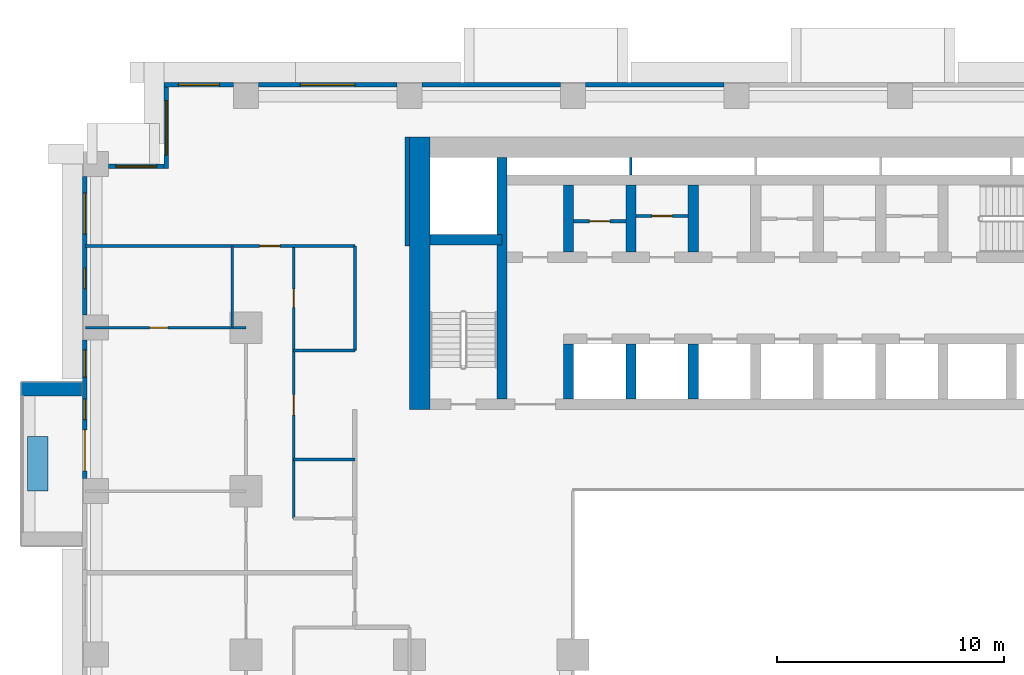
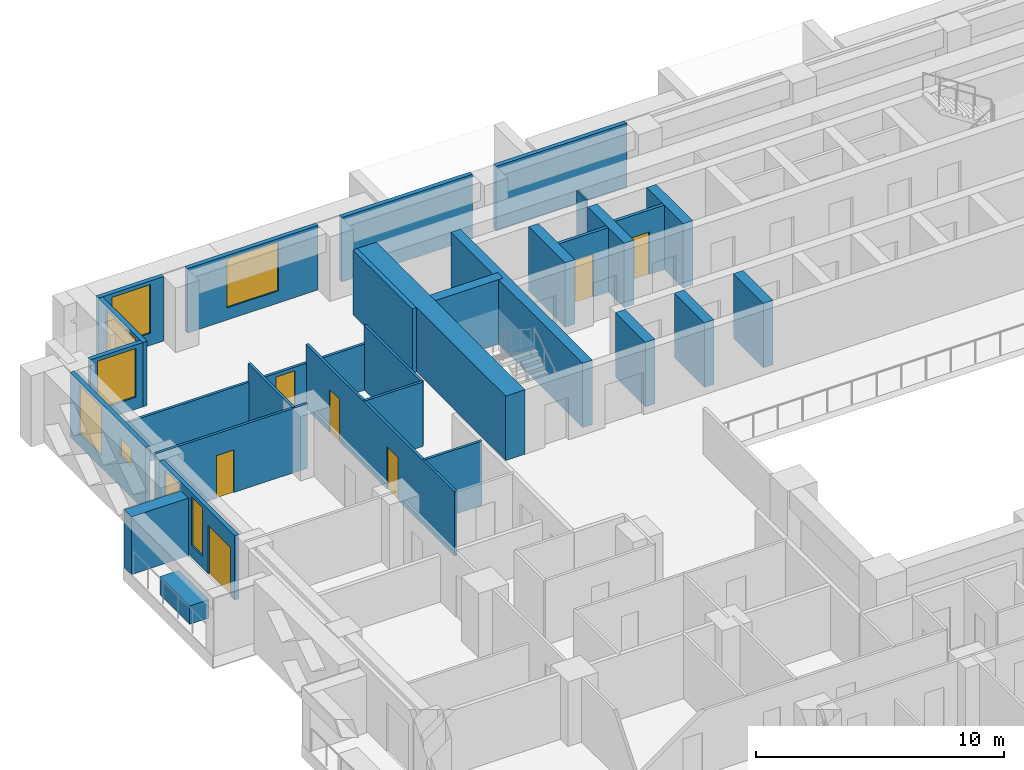
# One storey, part 9 of 17: 30 walls, 8 windows, 7 doors, 15 openings.
"""IFC4 building model written with IfcOpenShell, lengths in metres."""

from ifc_helpers import new_model, si_unit, direction, frame, frame_2d, origin, place, context, subcontext, project, spatial, rectangle, extrude, material, layer, layer_set, type_object, element, fill, save


model = new_model("IFC4")

# Units and contexts
model_context = context("Model", 3, precision=1e-05, world=origin(), true_north=direction((0.0, 1.0)))
body_context = subcontext(model_context, "Body", "Model", "MODEL_VIEW")
ifc_project = project(units=[si_unit("LENGTHUNIT", "METRE"), si_unit("AREAUNIT", "SQUARE_METRE"), si_unit("VOLUMEUNIT", "CUBIC_METRE"), si_unit("PLANEANGLEUNIT", "RADIAN"), si_unit("MASSUNIT", "GRAM", prefix="KILO")], contexts=[model_context])

# Site, building, storey
site_placement = place(None, origin())
site = spatial("IfcSite", under=ifc_project, at=site_placement, CompositionType="ELEMENT")
building_placement = place(site_placement, origin())
building = spatial("IfcBuilding", under=site, at=building_placement, Name="Saffron Iwan Residences", CompositionType="ELEMENT")
storey_placement = place(building_placement, frame((0.0, 0.0, 41.0)))
storey = spatial("IfcBuildingStorey", under=building, at=storey_placement, Name="L09", CompositionType="ELEMENT", Elevation=41.0)

# Walls
ifc_material_1 = material(Name="Concrete C50/60 white painted", Category="concrete")
ifc_layer_1 = layer(ifc_material_1, 0.60009765625)
ifc_layer_set_1 = layer_set([ifc_layer_1], Name="Concrete C50/60 white painted")
wall_type_1 = type_object("IfcWallType", Name="BALCONY FIN 600", PredefinedType="SOLIDWALL", material=ifc_layer_set_1)
wall_1_placement = place(storey_placement, frame((14.35009765625, 66.89990234375, 0.0), z_axis=(0.0, 0.0, 1.0), x_axis=(-1.0, 0.0, 0.0)))
element("IfcWall", 1, at=wall_1_placement, inside=storey, type_object=wall_type_1, Name="Balcony fin L09 F8-0a", PredefinedType="SOLIDWALL", context=body_context, shape_type="SweptSolid", body=[
    extrude(rectangle(XDim=2.650146484375, YDim=0.60009765625, at=frame_2d((1.3251953125, 0.0))), origin(), (0.0, 0.0, 1.0), 2.85009765625),
])
ifc_material_2 = material(Name="Concrete C35/45 white painted", Category="concrete")
ifc_layer_2 = layer(ifc_material_2, 0.14990234375)
ifc_layer_set_2 = layer_set([ifc_layer_2], Name="Concrete C35/45 white painted")
wall_type_2 = type_object("IfcWallType", Name="BALCONY PLANTER", PredefinedType="SOLIDWALL", material=ifc_layer_set_2)
wall_2_placement = place(storey_placement, frame((12.425048828125, 64.800048828125, 0.0), z_axis=(0.0, 0.0, 1.0), x_axis=(0.0, -1.0, 0.0)))
element("IfcWall", 2, at=wall_2_placement, inside=storey, type_object=wall_type_2, Name="PLANTER L09 F8-0", PredefinedType="SOLIDWALL", context=body_context, shape_type="SweptSolid", body=[
    extrude(rectangle(XDim=2.400146484375, YDim=0.89990234375, at=frame_2d((1.2001953125, 0.0))), origin(), (0.0, 0.0, 1.0), 0.89990234375),
])

# Wall, opening, door
ifc_material_3 = material(Name="Fire-rated plasterboard partition")
ifc_layer_3 = layer(ifc_material_3, 0.14990234375)
ifc_layer_set_3 = layer_set([ifc_layer_3], Name="Fire-rated plasterboard partition")
wall_type_3 = type_object("IfcWallType", Name="Core partition 150", PredefinedType="PARTITIONING", material=ifc_layer_set_3)
wall_3_placement = place(storey_placement, frame((36.02490234375, 74.281982421875, 0.0), z_axis=(0.0, 0.0, 1.0), x_axis=(1.0, 0.0, 0.0)))
wall_3 = element("IfcWall", 3, at=wall_3_placement, inside=storey, type_object=wall_type_3, Name="Core partition P01", PredefinedType="PARTITIONING", context=body_context, shape_type="SweptSolid", body=[
    extrude(rectangle(XDim=2.300048828125, YDim=0.14990234375, at=frame_2d((1.14990234375, 0.0))), origin(), (0.0, 0.0, 1.0), 3.179931640625),
])
opening_1_placement = place(wall_3_placement, frame((0.699951171875, 0.0, 0.0)))
opening_1 = element("IfcOpeningElement", 4, at=opening_1_placement, cuts=wall_3, Name="Opening SB", PredefinedType="OPENING", context=body_context, shape_type="SweptSolid", body=[
    extrude(rectangle(XDim=0.89990234375, YDim=2.10009765625, at=frame_2d((0.449951171875, 1.050048828125))), frame((0.0, 0.0849609375, 0.0), z_axis=(0.0, -1.0, 0.0), x_axis=(1.0, 0.0, 0.0)), (0.0, 0.0, 1.0), 0.169921875),
])
ifc_material_4 = material(Name="Steel fire door", Category="steel")
door_type_1 = type_object("IfcDoorType", Name="Store door 900", OperationType="NOTDEFINED", PredefinedType="DOOR", material=ifc_material_4)
door_1_placement = place(opening_1_placement, origin())
door_1 = element("IfcDoor", 5, at=door_1_placement, inside=storey, type_object=door_type_1, Name="Door Stationery store", OperationType="SINGLE_SWING_LEFT", OverallHeight=2.10009765625, OverallWidth=0.89990234375, PredefinedType="DOOR", context=body_context, shape_type="SweptSolid", body=[
    extrude(rectangle(XDim=0.89990234375, YDim=2.10009765625, at=frame_2d((0.449951171875, 1.050048828125))), frame((0.0, 0.02490234375, 0.0), z_axis=(0.0, -1.0, 0.0), x_axis=(1.0, 0.0, 0.0)), (0.0, 0.0, 1.0), 0.050048828125),
])
fill(opening_1, door_1)

wall_4_placement = place(storey_placement, frame((38.77490234375, 74.51806640625, 0.0), z_axis=(0.0, 0.0, 1.0), x_axis=(1.0, 0.0, 0.0)))
wall_4 = element("IfcWall", 6, at=wall_4_placement, inside=storey, type_object=wall_type_3, Name="Core partition P02", PredefinedType="PARTITIONING", context=body_context, shape_type="SweptSolid", body=[
    extrude(rectangle(XDim=2.300048828125, YDim=0.14990234375, at=frame_2d((1.14990234375, 0.0))), origin(), (0.0, 0.0, 1.0), 3.179931640625),
])
opening_2_placement = place(wall_4_placement, frame((0.699951171875, 0.0, 0.0)))
opening_2 = element("IfcOpeningElement", 7, at=opening_2_placement, cuts=wall_4, Name="Opening SB", PredefinedType="OPENING", context=body_context, shape_type="SweptSolid", body=[
    extrude(rectangle(XDim=0.89990234375, YDim=2.10009765625, at=frame_2d((0.449951171875, 1.050048828125))), frame((0.0, 0.0849609375, 0.0), z_axis=(0.0, -1.0, 0.0), x_axis=(1.0, 0.0, 0.0)), (0.0, 0.0, 1.0), 0.169921875),
])
door_2_placement = place(opening_2_placement, origin())
door_2 = element("IfcDoor", 8, at=door_2_placement, inside=storey, type_object=door_type_1, Name="Door Tool store", OperationType="SINGLE_SWING_LEFT", OverallHeight=2.10009765625, OverallWidth=0.89990234375, PredefinedType="DOOR", context=body_context, shape_type="SweptSolid", body=[
    extrude(rectangle(XDim=0.89990234375, YDim=2.10009765625, at=frame_2d((0.449951171875, 1.050048828125))), frame((0.0, 0.02490234375, 0.0), z_axis=(0.0, -1.0, 0.0), x_axis=(1.0, 0.0, 0.0)), (0.0, 0.0, 1.0), 0.050048828125),
])
fill(opening_2, door_2)

# Walls
ifc_material_5 = material(Name="Concrete C40/50", Category="concrete")
ifc_layer_4 = layer(ifc_material_5, 0.199951171875)
ifc_layer_set_4 = layer_set([ifc_layer_4], Name="Concrete C40/50")
wall_type_4 = type_object("IfcWallType", Name="EXTERNAL WALL 200", PredefinedType="SOLIDWALL", material=ifc_layer_set_4)
for number, where, z_axis, x_axis, name in (
    (9, (42.64990234375, 80.300048828125, 0.0), (0.0, 0.0, 1.0), (-1.0, 0.0, 0.0), "External wall L09 F5.6"),
    (10, (35.449951171875, 80.300048828125, 0.0), (0.0, 0.0, 1.0), (-1.0, 0.0, 0.0), "External wall L09 F5.7"),
):
    element("IfcWall", number, at=place(storey_placement, frame(where, z_axis=z_axis, x_axis=x_axis)), inside=storey, type_object=wall_type_4, Name=name, PredefinedType="SOLIDWALL", context=body_context, shape_type="SweptSolid", body=[
        extrude(rectangle(XDim=6.099853515625, YDim=0.199951171875, at=frame_2d((3.0498046875, 0.0))), origin(), (0.0, 0.0, 1.0), 3.179931640625),
    ])

# Wall, opening, window
wall_5_placement = place(storey_placement, frame((28.25, 80.300048828125, 0.0), z_axis=(0.0, 0.0, 1.0), x_axis=(-1.0, 0.0, 0.0)))
wall_5 = element("IfcWall", 11, at=wall_5_placement, inside=storey, type_object=wall_type_4, Name="External wall L09 F5.8", PredefinedType="SOLIDWALL", context=body_context, shape_type="SweptSolid", body=[
    extrude(rectangle(XDim=6.10009765625, YDim=0.199951171875, at=frame_2d((3.050048828125, 0.0))), origin(), (0.0, 0.0, 1.0), 3.179931640625),
])
opening_3_placement = place(wall_5_placement, frame((1.85009765625, 0.0, 0.60009765625)))
opening_3 = element("IfcOpeningElement", 12, at=opening_3_placement, cuts=wall_5, Name="Opening W1", PredefinedType="OPENING", context=body_context, shape_type="SweptSolid", body=[
    extrude(rectangle(XDim=2.39990234375, YDim=2.39990234375, at=frame_2d((1.199951171875, 1.199951171875))), frame((0.0, 0.10986328125, 0.0), z_axis=(0.0, -1.0, 0.0), x_axis=(1.0, 0.0, 0.0)), (0.0, 0.0, 1.0), 0.219970703125),
])
ifc_material_6 = material(Name="Clear glass, laminated double glazed", Category="glass")
window_type_1 = type_object("IfcWindowType", Name="WINDOW 2400 x 2400", PartitioningType="DOUBLE_PANEL_VERTICAL", PredefinedType="WINDOW", material=ifc_material_6)
window_1_placement = place(opening_3_placement, origin())
window_1 = element("IfcWindow", 13, at=window_1_placement, inside=storey, type_object=window_type_1, Name="Window L09 F5.0", OverallHeight=2.39990234375, OverallWidth=2.39990234375, PartitioningType="DOUBLE_PANEL_VERTICAL", PredefinedType="WINDOW", context=body_context, shape_type="SweptSolid", body=[
    extrude(rectangle(XDim=2.39990234375, YDim=2.39990234375, at=frame_2d((1.199951171875, 1.199951171875))), frame((0.0, 0.030029296875, 0.0), z_axis=(0.0, -1.0, 0.0), x_axis=(1.0, 0.0, 0.0)), (0.0, 0.0, 1.0), 0.06005859375),
])
fill(opening_3, window_1)

wall_6_placement = place(storey_placement, frame((21.050048828125, 80.300048828125, 0.0), z_axis=(0.0, 0.0, 1.0), x_axis=(-1.0, 0.0, 0.0)))
wall_6 = element("IfcWall", 14, at=wall_6_placement, inside=storey, type_object=wall_type_4, Name="External wall L09 F5.9", PredefinedType="SOLIDWALL", context=body_context, shape_type="SweptSolid", body=[
    extrude(rectangle(XDim=3.050048828125, YDim=0.199951171875, at=frame_2d((1.52490234375, 0.0))), origin(), (0.0, 0.0, 1.0), 3.179931640625),
])
opening_4_placement = place(wall_6_placement, frame((0.625, 0.0, 0.60009765625)))
opening_4 = element("IfcOpeningElement", 15, at=opening_4_placement, cuts=wall_6, Name="Opening W8", PredefinedType="OPENING", context=body_context, shape_type="SweptSolid", body=[
    extrude(rectangle(XDim=1.800048828125, YDim=2.39990234375, at=frame_2d((0.89990234375, 1.199951171875))), frame((0.0, 0.10986328125, 0.0), z_axis=(0.0, -1.0, 0.0), x_axis=(1.0, 0.0, 0.0)), (0.0, 0.0, 1.0), 0.219970703125),
])
window_type_2 = type_object("IfcWindowType", Name="WINDOW 1800 x 2400", PartitioningType="DOUBLE_PANEL_VERTICAL", PredefinedType="WINDOW", material=ifc_material_6)
window_2_placement = place(opening_4_placement, origin())
window_2 = element("IfcWindow", 16, at=window_2_placement, inside=storey, type_object=window_type_2, Name="Window L09 F5.0", OverallHeight=2.39990234375, OverallWidth=1.800048828125, PartitioningType="DOUBLE_PANEL_VERTICAL", PredefinedType="WINDOW", context=body_context, shape_type="SweptSolid", body=[
    extrude(rectangle(XDim=1.800048828125, YDim=2.39990234375, at=frame_2d((0.89990234375, 1.199951171875))), frame((0.0, 0.030029296875, 0.0), z_axis=(0.0, -1.0, 0.0), x_axis=(1.0, 0.0, 0.0)), (0.0, 0.0, 1.0), 0.06005859375),
])
fill(opening_4, window_2)

wall_7_placement = place(storey_placement, frame((18.10009765625, 80.199951171875, 0.0), z_axis=(0.0, 0.0, 1.0), x_axis=(0.0, -1.0, 0.0)))
wall_7 = element("IfcWall", 17, at=wall_7_placement, inside=storey, type_object=wall_type_4, Name="External wall L09 F6.0", PredefinedType="SOLIDWALL", context=body_context, shape_type="SweptSolid", body=[
    extrude(rectangle(XDim=3.599853515625, YDim=0.199951171875, at=frame_2d((1.7998046875, 0.0))), origin(), (0.0, 0.0, 1.0), 3.179931640625),
])
opening_5_placement = place(wall_7_placement, frame((0.60009765625, 0.0, 0.60009765625)))
opening_5 = element("IfcOpeningElement", 18, at=opening_5_placement, cuts=wall_7, Name="Opening W1", PredefinedType="OPENING", context=body_context, shape_type="SweptSolid", body=[
    extrude(rectangle(XDim=2.39990234375, YDim=2.39990234375, at=frame_2d((1.199951171875, 1.199951171875))), frame((0.0, 0.10986328125, 0.0), z_axis=(0.0, -1.0, 0.0), x_axis=(1.0, 0.0, 0.0)), (0.0, 0.0, 1.0), 0.219970703125),
])
window_3_placement = place(opening_5_placement, origin())
window_3 = element("IfcWindow", 19, at=window_3_placement, inside=storey, type_object=window_type_1, Name="Window L09 F6.0", OverallHeight=2.39990234375, OverallWidth=2.39990234375, PartitioningType="DOUBLE_PANEL_VERTICAL", PredefinedType="WINDOW", context=body_context, shape_type="SweptSolid", body=[
    extrude(rectangle(XDim=2.39990234375, YDim=2.39990234375, at=frame_2d((1.199951171875, 1.199951171875))), frame((0.0, 0.030029296875, 0.0), z_axis=(0.0, -1.0, 0.0), x_axis=(1.0, 0.0, 0.0)), (0.0, 0.0, 1.0), 0.06005859375),
])
fill(opening_5, window_3)

wall_8_placement = place(storey_placement, frame((18.0, 76.699951171875, 0.0), z_axis=(0.0, 0.0, 1.0), x_axis=(-1.0, 0.0, 0.0)))
wall_8 = element("IfcWall", 20, at=wall_8_placement, inside=storey, type_object=wall_type_4, Name="External wall L09 F7.0", PredefinedType="SOLIDWALL", context=body_context, shape_type="SweptSolid", body=[
    extrude(rectangle(XDim=2.449951171875, YDim=0.199951171875, at=frame_2d((1.22509765625, 0.0))), origin(), (0.0, 0.0, 1.0), 3.179931640625),
])
opening_6_placement = place(wall_8_placement, frame((0.324951171875, 0.0, 0.60009765625)))
opening_6 = element("IfcOpeningElement", 21, at=opening_6_placement, cuts=wall_8, Name="Opening W8", PredefinedType="OPENING", context=body_context, shape_type="SweptSolid", body=[
    extrude(rectangle(XDim=1.800048828125, YDim=2.39990234375, at=frame_2d((0.89990234375, 1.199951171875))), frame((0.0, 0.10986328125, 0.0), z_axis=(0.0, -1.0, 0.0), x_axis=(1.0, 0.0, 0.0)), (0.0, 0.0, 1.0), 0.219970703125),
])
window_4_placement = place(opening_6_placement, origin())
window_4 = element("IfcWindow", 22, at=window_4_placement, inside=storey, type_object=window_type_2, Name="Window L09 F7.0", OverallHeight=2.39990234375, OverallWidth=1.800048828125, PartitioningType="DOUBLE_PANEL_VERTICAL", PredefinedType="WINDOW", context=body_context, shape_type="SweptSolid", body=[
    extrude(rectangle(XDim=1.800048828125, YDim=2.39990234375, at=frame_2d((0.89990234375, 1.199951171875))), frame((0.0, 0.030029296875, 0.0), z_axis=(0.0, -1.0, 0.0), x_axis=(1.0, 0.0, 0.0)), (0.0, 0.0, 1.0), 0.06005859375),
])
fill(opening_6, window_4)

# Wall, openings, windows
wall_9_placement = place(storey_placement, frame((14.5, 76.25, 0.0), z_axis=(0.0, 0.0, 1.0), x_axis=(0.0, -1.0, 0.0)))
wall_9 = element("IfcWall", 23, at=wall_9_placement, inside=storey, type_object=wall_type_4, Name="External wall L09 F8.0", PredefinedType="SOLIDWALL", context=body_context, shape_type="SweptSolid", body=[
    extrude(rectangle(XDim=6.10009765625, YDim=0.199951171875, at=frame_2d((3.050048828125, 0.0))), origin(), (0.0, 0.0, 1.0), 3.179931640625),
])
opening_7_placement = place(wall_9_placement, frame((4.02490234375, 0.0, 1.5)))
opening_7 = element("IfcOpeningElement", 24, at=opening_7_placement, cuts=wall_9, Name="Opening W6", PredefinedType="OPENING", context=body_context, shape_type="SweptSolid", body=[
    extrude(rectangle(XDim=0.89990234375, YDim=0.89990234375, at=frame_2d((0.449951171875, 0.449951171875))), frame((0.0, 0.10986328125, 0.0), z_axis=(0.0, -1.0, 0.0), x_axis=(1.0, 0.0, 0.0)), (0.0, 0.0, 1.0), 0.219970703125),
])
opening_8_placement = place(wall_9_placement, frame((0.72509765625, 0.0, 0.60009765625)))
opening_8 = element("IfcOpeningElement", 25, at=opening_8_placement, cuts=wall_9, Name="Opening W8", PredefinedType="OPENING", context=body_context, shape_type="SweptSolid", body=[
    extrude(rectangle(XDim=1.800048828125, YDim=2.39990234375, at=frame_2d((0.89990234375, 1.199951171875))), frame((0.0, 0.10986328125, 0.0), z_axis=(0.0, -1.0, 0.0), x_axis=(1.0, 0.0, 0.0)), (0.0, 0.0, 1.0), 0.219970703125),
])
window_5_placement = place(opening_8_placement, origin())
window_5 = element("IfcWindow", 26, at=window_5_placement, inside=storey, type_object=window_type_2, Name="Window L09 F8.1", OverallHeight=2.39990234375, OverallWidth=1.800048828125, PartitioningType="DOUBLE_PANEL_VERTICAL", PredefinedType="WINDOW", context=body_context, shape_type="SweptSolid", body=[
    extrude(rectangle(XDim=1.800048828125, YDim=2.39990234375, at=frame_2d((0.89990234375, 1.199951171875))), frame((0.0, 0.030029296875, 0.0), z_axis=(0.0, -1.0, 0.0), x_axis=(1.0, 0.0, 0.0)), (0.0, 0.0, 1.0), 0.06005859375),
])
fill(opening_8, window_5)
window_type_3 = type_object("IfcWindowType", Name="WINDOW 900 x 900 BATH", PartitioningType="SINGLE_PANEL", PredefinedType="WINDOW", material=ifc_material_6)
window_6_placement = place(opening_7_placement, origin())
window_6 = element("IfcWindow", 27, at=window_6_placement, inside=storey, type_object=window_type_3, Name="Window L09 F8.0", OverallHeight=0.89990234375, OverallWidth=0.89990234375, PartitioningType="SINGLE_PANEL", PredefinedType="WINDOW", context=body_context, shape_type="SweptSolid", body=[
    extrude(rectangle(XDim=0.89990234375, YDim=0.89990234375, at=frame_2d((0.449951171875, 0.449951171875))), frame((0.0, 0.030029296875, 0.0), z_axis=(0.0, -1.0, 0.0), x_axis=(1.0, 0.0, 0.0)), (0.0, 0.0, 1.0), 0.06005859375),
])
fill(opening_7, window_6)

# Wall, openings, door, windows
wall_10_placement = place(storey_placement, frame((14.5, 69.050048828125, 0.0), z_axis=(0.0, 0.0, 1.0), x_axis=(0.0, -1.0, 0.0)))
wall_10 = element("IfcWall", 28, at=wall_10_placement, inside=storey, type_object=wall_type_4, Name="External wall L09 F8.1", PredefinedType="SOLIDWALL", context=body_context, shape_type="SweptSolid", body=[
    extrude(rectangle(XDim=6.10009765625, YDim=0.199951171875, at=frame_2d((3.050048828125, 0.0))), origin(), (0.0, 0.0, 1.0), 3.179931640625),
])
opening_9_placement = place(wall_10_placement, frame((3.949951171875, 0.0, 0.0)))
opening_9 = element("IfcOpeningElement", 29, at=opening_9_placement, cuts=wall_10, Name="Opening BD1", PredefinedType="OPENING", context=body_context, shape_type="SweptSolid", body=[
    extrude(rectangle(XDim=1.800048828125, YDim=2.39990234375, at=frame_2d((0.89990234375, 1.199951171875))), frame((0.0, 0.10986328125, 0.0), z_axis=(0.0, -1.0, 0.0), x_axis=(1.0, 0.0, 0.0)), (0.0, 0.0, 1.0), 0.219970703125),
])
opening_10_placement = place(wall_10_placement, frame((0.425048828125, 0.0, 0.60009765625)))
opening_10 = element("IfcOpeningElement", 30, at=opening_10_placement, cuts=wall_10, Name="Opening W3", PredefinedType="OPENING", context=body_context, shape_type="SweptSolid", body=[
    extrude(rectangle(XDim=1.199951171875, YDim=2.39990234375, at=frame_2d((0.60009765625, 1.199951171875))), frame((0.0, 0.10986328125, 0.0), z_axis=(0.0, -1.0, 0.0), x_axis=(1.0, 0.0, 0.0)), (0.0, 0.0, 1.0), 0.219970703125),
])
opening_11_placement = place(wall_10_placement, frame((2.60009765625, 0.0, 0.60009765625)))
opening_11 = element("IfcOpeningElement", 31, at=opening_11_placement, cuts=wall_10, Name="Opening W10", PredefinedType="OPENING", context=body_context, shape_type="SweptSolid", body=[
    extrude(rectangle(XDim=0.89990234375, YDim=2.39990234375, at=frame_2d((0.449951171875, 1.199951171875))), frame((0.0, 0.10986328125, 0.0), z_axis=(0.0, -1.0, 0.0), x_axis=(1.0, 0.0, 0.0)), (0.0, 0.0, 1.0), 0.219970703125),
])
door_type_2 = type_object("IfcDoorType", Name="BALCONY DOOR 1800 x 2400", OperationType="DOUBLE_DOOR_SLIDING", PredefinedType="DOOR", material=ifc_material_6)
door_3_placement = place(opening_9_placement, origin())
door_3 = element("IfcDoor", 32, at=door_3_placement, inside=storey, type_object=door_type_2, Name="Balcony door L09 F8.0", OperationType="DOUBLE_DOOR_SLIDING", OverallHeight=2.39990234375, OverallWidth=1.800048828125, PredefinedType="DOOR", context=body_context, shape_type="SweptSolid", body=[
    extrude(rectangle(XDim=1.800048828125, YDim=2.39990234375, at=frame_2d((0.89990234375, 1.199951171875))), frame((0.0, 0.02490234375, 0.0), z_axis=(0.0, -1.0, 0.0), x_axis=(1.0, 0.0, 0.0)), (0.0, 0.0, 1.0), 0.050048828125),
])
fill(opening_9, door_3)
window_type_4 = type_object("IfcWindowType", Name="WINDOW 1200 x 2400", PartitioningType="SINGLE_PANEL", PredefinedType="WINDOW", material=ifc_material_6)
window_7_placement = place(opening_10_placement, origin())
window_7 = element("IfcWindow", 33, at=window_7_placement, inside=storey, type_object=window_type_4, Name="Window L09 F8.1", OverallHeight=2.39990234375, OverallWidth=1.199951171875, PartitioningType="SINGLE_PANEL", PredefinedType="WINDOW", context=body_context, shape_type="SweptSolid", body=[
    extrude(rectangle(XDim=1.199951171875, YDim=2.39990234375, at=frame_2d((0.60009765625, 1.199951171875))), frame((0.0, 0.030029296875, 0.0), z_axis=(0.0, -1.0, 0.0), x_axis=(1.0, 0.0, 0.0)), (0.0, 0.0, 1.0), 0.06005859375),
])
fill(opening_10, window_7)
window_type_5 = type_object("IfcWindowType", Name="WINDOW 900 x 2400", PartitioningType="SINGLE_PANEL", PredefinedType="WINDOW", material=ifc_material_6)
window_8_placement = place(opening_11_placement, origin())
window_8 = element("IfcWindow", 34, at=window_8_placement, inside=storey, type_object=window_type_5, Name="Window L09 F8.2", OverallHeight=2.39990234375, OverallWidth=0.89990234375, PartitioningType="SINGLE_PANEL", PredefinedType="WINDOW", context=body_context, shape_type="SweptSolid", body=[
    extrude(rectangle(XDim=0.89990234375, YDim=2.39990234375, at=frame_2d((0.449951171875, 1.199951171875))), frame((0.0, 0.030029296875, 0.0), z_axis=(0.0, -1.0, 0.0), x_axis=(1.0, 0.0, 0.0)), (0.0, 0.0, 1.0), 0.06005859375),
])
fill(opening_11, window_8)

# Walls
ifc_material_7 = material(Name="Gypsum board partition")
ifc_layer_5 = layer(ifc_material_7, 0.1201171875)
ifc_layer_set_5 = layer_set([ifc_layer_5], Name="Gypsum board partition")
wall_type_5 = type_object("IfcWallType", Name="Flat partition 120", PredefinedType="PARTITIONING", material=ifc_layer_set_5)
for number, where, z_axis, x_axis, name in (
    (35, (23.699951171875, 63.800048828125, 0.0), (0.0, 0.0, 1.0), (1.0, 0.0, 0.0), "W-L09-PART-h63.8-23.7"),
    (36, (23.699951171875, 68.60009765625, 0.0), (0.0, 0.0, 1.0), (1.0, 0.0, 0.0), "W-L09-PART-h68.6-23.7"),
):
    element("IfcWall", number, at=place(storey_placement, frame(where, z_axis=z_axis, x_axis=x_axis)), inside=storey, type_object=wall_type_5, Name=name, PredefinedType="PARTITIONING", context=body_context, shape_type="SweptSolid", body=[
        extrude(rectangle(XDim=2.699951171875, YDim=0.1201171875, at=frame_2d((1.35009765625, 0.0))), origin(), (0.0, 0.0, 1.0), 3.179931640625),
    ])

# Wall, opening, door
wall_11_placement = place(storey_placement, frame((14.52490234375, 69.60009765625, 0.0), z_axis=(0.0, 0.0, 1.0), x_axis=(1.0, 0.0, 0.0)))
wall_11 = element("IfcWall", 37, at=wall_11_placement, inside=storey, type_object=wall_type_5, Name="W-L09-PART-h69.6-14.525", PredefinedType="PARTITIONING", context=body_context, shape_type="SweptSolid", body=[
    extrude(rectangle(XDim=7.0751953125, YDim=0.1201171875, at=frame_2d((3.53759765625, 0.0))), origin(), (0.0, 0.0, 1.0), 3.179931640625),
])
opening_12_placement = place(wall_11_placement, frame((2.83740234375, 0.0, 0.0)))
opening_12 = element("IfcOpeningElement", 38, at=opening_12_placement, cuts=wall_11, Name="Opening FD3", PredefinedType="OPENING", context=body_context, shape_type="SweptSolid", body=[
    extrude(rectangle(XDim=0.800048828125, YDim=2.10009765625, at=frame_2d((0.39990234375, 1.050048828125))), frame((0.0, 0.070068359375, 0.0), z_axis=(0.0, -1.0, 0.0), x_axis=(1.0, 0.0, 0.0)), (0.0, 0.0, 1.0), 0.14013671875),
])
ifc_material_8 = material(Name="Timber door", Category="wood")
door_type_3 = type_object("IfcDoorType", Name="Bathroom door 800", OperationType="NOTDEFINED", PredefinedType="DOOR", material=ifc_material_8)
door_4_placement = place(opening_12_placement, origin())
door_4 = element("IfcDoor", 39, at=door_4_placement, inside=storey, type_object=door_type_3, Name="Door L09-030", OperationType="SINGLE_SWING_LEFT", OverallHeight=2.10009765625, OverallWidth=0.800048828125, PredefinedType="DOOR", context=body_context, shape_type="SweptSolid", body=[
    extrude(rectangle(XDim=0.800048828125, YDim=2.10009765625, at=frame_2d((0.39990234375, 1.050048828125))), frame((0.0, 0.02490234375, 0.0), z_axis=(0.0, -1.0, 0.0), x_axis=(1.0, 0.0, 0.0)), (0.0, 0.0, 1.0), 0.050048828125),
])
fill(opening_12, door_4)

wall_12_placement = place(storey_placement, frame((14.52490234375, 73.199951171875, 0.0), z_axis=(0.0, 0.0, 1.0), x_axis=(1.0, 0.0, 0.0)))
wall_12 = element("IfcWall", 40, at=wall_12_placement, inside=storey, type_object=wall_type_5, Name="W-L09-PART-h73.2-14.525", PredefinedType="PARTITIONING", context=body_context, shape_type="SweptSolid", body=[
    extrude(rectangle(XDim=11.875, YDim=0.1201171875, at=frame_2d((5.9375, 0.0))), origin(), (0.0, 0.0, 1.0), 2.280029296875),
])
opening_13_placement = place(wall_12_placement, frame((7.675048828125, 0.0, 0.0)))
opening_13 = element("IfcOpeningElement", 41, at=opening_13_placement, cuts=wall_12, Name="Opening FD2", PredefinedType="OPENING", context=body_context, shape_type="SweptSolid", body=[
    extrude(rectangle(XDim=0.89990234375, YDim=2.10009765625, at=frame_2d((0.449951171875, 1.050048828125))), frame((0.0, 0.070068359375, 0.0), z_axis=(0.0, -1.0, 0.0), x_axis=(1.0, 0.0, 0.0)), (0.0, 0.0, 1.0), 0.14013671875),
])
door_type_4 = type_object("IfcDoorType", Name="Flat door 900", OperationType="NOTDEFINED", PredefinedType="DOOR", material=ifc_material_8)
door_5_placement = place(opening_13_placement, origin())
door_5 = element("IfcDoor", 42, at=door_5_placement, inside=storey, type_object=door_type_4, Name="Door L09-031", OperationType="SINGLE_SWING_RIGHT", OverallHeight=2.10009765625, OverallWidth=0.89990234375, PredefinedType="DOOR", context=body_context, shape_type="SweptSolid", body=[
    extrude(rectangle(XDim=0.89990234375, YDim=2.10009765625, at=frame_2d((0.449951171875, 1.050048828125))), frame((0.0, 0.02490234375, 0.0), z_axis=(0.0, -1.0, 0.0), x_axis=(1.0, 0.0, 0.0)), (0.0, 0.0, 1.0), 0.050048828125),
])
fill(opening_13, door_5)

# Wall
wall_13_placement = place(storey_placement, frame((21.0, 69.60009765625, 0.0), z_axis=(0.0, 0.0, 1.0), x_axis=(0.0, 1.0, 0.0)))
element("IfcWall", 43, at=wall_13_placement, inside=storey, type_object=wall_type_5, Name="W-L09-PART-v21-69.6", PredefinedType="PARTITIONING", context=body_context, shape_type="SweptSolid", body=[
    extrude(rectangle(XDim=3.599853515625, YDim=0.1201171875, at=frame_2d((1.7998046875, 0.0))), origin(), (0.0, 0.0, 1.0), 3.179931640625),
])

# Wall, openings, doors
wall_14_placement = place(storey_placement, frame((23.699951171875, 61.199951171875, 0.0), z_axis=(0.0, 0.0, 1.0), x_axis=(0.0, 1.0, 0.0)))
wall_14 = element("IfcWall", 44, at=wall_14_placement, inside=storey, type_object=wall_type_5, Name="W-L09-PART-v23.7-61.2", PredefinedType="PARTITIONING", context=body_context, shape_type="SweptSolid", body=[
    extrude(rectangle(XDim=12.0, YDim=0.1201171875, at=frame_2d((6.0, 0.0))), origin(), (0.0, 0.0, 1.0), 3.179931640625),
])
opening_14_placement = place(wall_14_placement, frame((4.550048828125, 0.0, 0.0)))
opening_14 = element("IfcOpeningElement", 45, at=opening_14_placement, cuts=wall_14, Name="Opening FD2", PredefinedType="OPENING", context=body_context, shape_type="SweptSolid", body=[
    extrude(rectangle(XDim=0.89990234375, YDim=2.10009765625, at=frame_2d((0.449951171875, 1.050048828125))), frame((0.0, 0.070068359375, 0.0), z_axis=(0.0, -1.0, 0.0), x_axis=(1.0, 0.0, 0.0)), (0.0, 0.0, 1.0), 0.14013671875),
])
opening_15_placement = place(wall_14_placement, frame((9.300048828125, 0.0, 0.0)))
opening_15 = element("IfcOpeningElement", 46, at=opening_15_placement, cuts=wall_14, Name="Opening FD3", PredefinedType="OPENING", context=body_context, shape_type="SweptSolid", body=[
    extrude(rectangle(XDim=0.800048828125, YDim=2.10009765625, at=frame_2d((0.39990234375, 1.050048828125))), frame((0.0, 0.070068359375, 0.0), z_axis=(0.0, -1.0, 0.0), x_axis=(1.0, 0.0, 0.0)), (0.0, 0.0, 1.0), 0.14013671875),
])
door_6_placement = place(opening_15_placement, origin())
door_6 = element("IfcDoor", 47, at=door_6_placement, inside=storey, type_object=door_type_3, Name="Door L09-034", OperationType="SINGLE_SWING_RIGHT", OverallHeight=2.10009765625, OverallWidth=0.800048828125, PredefinedType="DOOR", context=body_context, shape_type="SweptSolid", body=[
    extrude(rectangle(XDim=0.800048828125, YDim=2.10009765625, at=frame_2d((0.39990234375, 1.050048828125))), frame((0.0, 0.02490234375, 0.0), z_axis=(0.0, -1.0, 0.0), x_axis=(1.0, 0.0, 0.0)), (0.0, 0.0, 1.0), 0.050048828125),
])
fill(opening_15, door_6)
door_7_placement = place(opening_14_placement, origin())
door_7 = element("IfcDoor", 48, at=door_7_placement, inside=storey, type_object=door_type_4, Name="Door L09-033", OperationType="SINGLE_SWING_LEFT", OverallHeight=2.10009765625, OverallWidth=0.89990234375, PredefinedType="DOOR", context=body_context, shape_type="SweptSolid", body=[
    extrude(rectangle(XDim=0.89990234375, YDim=2.10009765625, at=frame_2d((0.449951171875, 1.050048828125))), frame((0.0, 0.02490234375, 0.0), z_axis=(0.0, -1.0, 0.0), x_axis=(1.0, 0.0, 0.0)), (0.0, 0.0, 1.0), 0.050048828125),
])
fill(opening_14, door_7)

# Walls
wall_15_placement = place(storey_placement, frame((26.39990234375, 68.60009765625, 0.0), z_axis=(0.0, 0.0, 1.0), x_axis=(0.0, 1.0, 0.0)))
element("IfcWall", 49, at=wall_15_placement, inside=storey, type_object=wall_type_5, Name="W-L09-PART-v26.4-68.6", PredefinedType="PARTITIONING", context=body_context, shape_type="SweptSolid", body=[
    extrude(rectangle(XDim=4.599853515625, YDim=0.1201171875, at=frame_2d((2.2998046875, 0.0))), origin(), (0.0, 0.0, 1.0), 3.179931640625),
])
ifc_material_9 = material(Name="Fire-rated gypsum board wall")
ifc_layer_6 = layer(ifc_material_9, 0.199951171875)
ifc_layer_set_6 = layer_set([ifc_layer_6], Name="Fire-rated gypsum board wall")
wall_type_6 = type_object("IfcWallType", Name="Gallery wall 200", PredefinedType="SOLIDWALL", material=ifc_layer_set_6)
wall_16_placement = place(storey_placement, frame((28.699951171875, 73.199951171875, 0.0), z_axis=(0.0, 0.0, 1.0), x_axis=(0.0, 1.0, 0.0)))
element("IfcWall", 50, at=wall_16_placement, inside=storey, type_object=wall_type_6, Name="W-L09-CORR-v28.8-73.2", PredefinedType="SOLIDWALL", context=body_context, shape_type="SweptSolid", body=[
    extrude(rectangle(XDim=4.800048828125, YDim=0.199951171875, at=frame_2d((2.39990234375, 0.0))), origin(), (0.0, 0.0, 1.0), 3.179931640625),
])
ifc_layer_7 = layer(ifc_material_3, 0.10009765625)
ifc_layer_set_7 = layer_set([ifc_layer_7], Name="Fire-rated plasterboard partition")
wall_type_7 = type_object("IfcWallType", Name="Riser partition 100", PredefinedType="PARTITIONING", material=ifc_layer_set_7)
wall_17_placement = place(storey_placement, frame((38.550048828125, 76.324951171875, 0.0), z_axis=(0.0, 0.0, 1.0), x_axis=(0.0, 1.0, 0.0)))
element("IfcWall", 51, at=wall_17_placement, inside=storey, type_object=wall_type_7, Name="Core partition P06", PredefinedType="PARTITIONING", context=body_context, shape_type="SweptSolid", body=[
    extrude(rectangle(XDim=0.775146484375, YDim=0.10009765625, at=frame_2d((0.3876953125, 0.0))), origin(), (0.0, 0.0, 1.0), 3.179931640625),
])
ifc_material_10 = material(Name="Concrete C60/75", Category="concrete")
ifc_layer_8 = layer(ifc_material_10, 0.449951171875)
ifc_layer_set_8 = layer_set([ifc_layer_8], Name="Concrete C60/75")
wall_type_8 = type_object("IfcWallType", Name="WALL CORE 450 C60/75 3180 HIGH", PredefinedType="SHEAR", material=ifc_layer_set_8)
wall_18_placement = place(storey_placement, frame((29.699951171875, 73.47509765625, 0.0), z_axis=(0.0, 0.0, 1.0), x_axis=(1.0, 0.0, 0.0)))
element("IfcWall", 52, at=wall_18_placement, inside=storey, type_object=wall_type_8, Name="Core wall", PredefinedType="SHEAR", context=body_context, shape_type="SweptSolid", body=[
    extrude(rectangle(XDim=3.175048828125, YDim=0.449951171875, at=frame_2d((1.58740234375, 0.0))), origin(), (0.0, 0.0, 1.0), 3.179931640625),
])
wall_19_placement = place(storey_placement, frame((32.875, 66.449951171875, 0.0), z_axis=(0.0, 0.0, 1.0), x_axis=(0.0, 1.0, 0.0)))
element("IfcWall", 53, at=wall_19_placement, inside=storey, type_object=wall_type_8, Name="Core wall", PredefinedType="SHEAR", context=body_context, shape_type="SweptSolid", body=[
    extrude(rectangle(XDim=10.650146484375, YDim=0.449951171875, at=frame_2d((5.3251953125, 0.0))), origin(), (0.0, 0.0, 1.0), 3.179931640625),
])
for number, where, z_axis, x_axis, name in (
    (54, (35.800048828125, 66.449951171875, 0.0), (0.0, 0.0, 1.0), (0.0, 1.0, 0.0), "Core wall"),
    (55, (38.550048828125, 66.449951171875, 0.0), (0.0, 0.0, 1.0), (0.0, 1.0, 0.0), "Core wall"),
    (56, (41.300048828125, 66.449951171875, 0.0), (0.0, 0.0, 1.0), (0.0, 1.0, 0.0), "Core wall"),
):
    element("IfcWall", number, at=place(storey_placement, frame(where, z_axis=z_axis, x_axis=x_axis)), inside=storey, type_object=wall_type_8, Name=name, PredefinedType="SHEAR", context=body_context, shape_type="SweptSolid", body=[
        extrude(rectangle(XDim=2.425048828125, YDim=0.449951171875, at=frame_2d((1.21240234375, 0.0))), origin(), (0.0, 0.0, 1.0), 3.179931640625),
    ])
for number, where, z_axis, x_axis, name in (
    (57, (35.800048828125, 72.925048828125, 0.0), (0.0, 0.0, 1.0), (0.0, 1.0, 0.0), "Core wall"),
    (58, (38.550048828125, 72.925048828125, 0.0), (0.0, 0.0, 1.0), (0.0, 1.0, 0.0), "Core wall"),
    (59, (41.300048828125, 72.925048828125, 0.0), (0.0, 0.0, 1.0), (0.0, 1.0, 0.0), "Core wall"),
):
    element("IfcWall", number, at=place(storey_placement, frame(where, z_axis=z_axis, x_axis=x_axis)), inside=storey, type_object=wall_type_8, Name=name, PredefinedType="SHEAR", context=body_context, shape_type="SweptSolid", body=[
        extrude(rectangle(XDim=2.949951171875, YDim=0.449951171875, at=frame_2d((1.47509765625, 0.0))), origin(), (0.0, 0.0, 1.0), 3.179931640625),
    ])
ifc_layer_9 = layer(ifc_material_10, 0.89990234375)
ifc_layer_set_9 = layer_set([ifc_layer_9], Name="Concrete C60/75")
wall_type_9 = type_object("IfcWallType", Name="WALL CORE 900 C60/75 3180 HIGH", PredefinedType="SHEAR", material=ifc_layer_set_9)
wall_20_placement = place(storey_placement, frame((29.25, 66.0, 0.0), z_axis=(0.0, 0.0, 1.0), x_axis=(0.0, 1.0, 0.0)))
element("IfcWall", 60, at=wall_20_placement, inside=storey, type_object=wall_type_9, Name="Core wall", PredefinedType="SHEAR", context=body_context, shape_type="SweptSolid", body=[
    extrude(rectangle(XDim=12.0, YDim=0.89990234375, at=frame_2d((6.0, 0.0))), origin(), (0.0, 0.0, 1.0), 3.179931640625),
])

save(model, "model.ifc")
